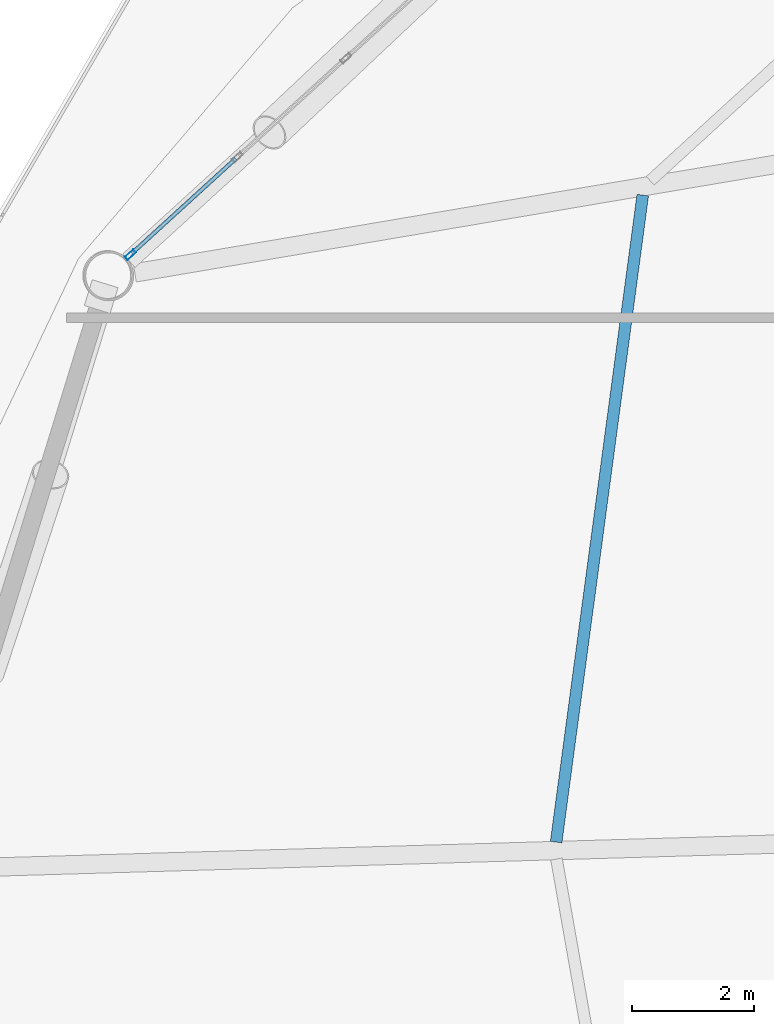
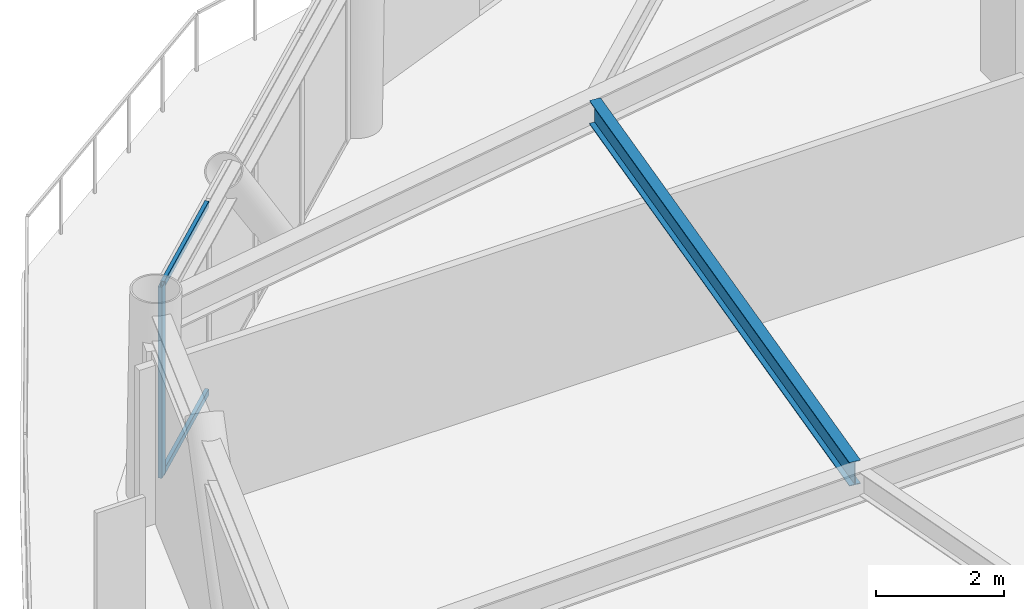
# One storey, part 9 of 23: 3 members, 1 beam, 1 element without a shape of its own.
"""IFC4 building model written with IfcOpenShell, lengths in metres."""

from ifc_helpers import new_model, si_unit, direction, frame, origin, origin_2d, place, context, subcontext, project, spatial, hollow_rectangle, i_section, extrude, material, layer, layer_set, material_profile, profile_set, type_object, element, aggregate, save


model = new_model("IFC4")

# Units and contexts
model_context = context("Model", 3, precision=1e-05, world=origin(), true_north=direction((0.0, 1.0)))
body_context = subcontext(model_context, "Body", "Model", "MODEL_VIEW")
ifc_project = project(units=[si_unit("LENGTHUNIT", "METRE"), si_unit("AREAUNIT", "SQUARE_METRE"), si_unit("VOLUMEUNIT", "CUBIC_METRE"), si_unit("PLANEANGLEUNIT", "RADIAN"), si_unit("MASSUNIT", "GRAM", prefix="KILO")], contexts=[model_context])

# Site, building, storey
site_placement = place(None, origin())
site = spatial("IfcSite", under=ifc_project, at=site_placement, CompositionType="ELEMENT")
building_placement = place(site_placement, origin())
building = spatial("IfcBuilding", under=site, at=building_placement, Name="Varnakorn Sky Granary", CompositionType="ELEMENT")
storey_placement = place(building_placement, frame((0.0, 0.0, 114.89990234375)))
storey = spatial("IfcBuildingStorey", under=building, at=storey_placement, Name="L28", CompositionType="ELEMENT", Elevation=114.89990234375)

# Beam
ifc_material_1 = material(Name="Steel S355JR", Category="steel")
ifc_material_profile_1 = material_profile(ifc_material_1, i_section(OverallWidth=0.18994140625, OverallDepth=0.449951171875, WebThickness=0.009521484375, FlangeThickness=0.0146484375, at=origin_2d()), Name="IPE 450")
ifc_profile_set_1 = profile_set([ifc_material_profile_1], Name="Steel S355JR")
beam_type = type_object("IfcBeamType", Name="BM-SEC-Z2", PredefinedType="BEAM", material=ifc_profile_set_1)
beam_placement = place(storey_placement, frame((-11.164794921875, 11.002197265625, 3.4150390625), z_axis=(-0.13269936089, -0.991156334601, 0.0), x_axis=(0.991156334601, -0.13269936089, 0.0)))
element("IfcBeam", 1, at=beam_placement, inside=storey, type_object=beam_type, Name="Secondary Floor Chord Beam MSB06 L28", PredefinedType="BEAM", context=body_context, shape_type="SweptSolid", body=[
    extrude(i_section(OverallWidth=0.18994140625, OverallDepth=0.449951171875, WebThickness=0.009521484375, FlangeThickness=0.0146484375, at=origin_2d()), origin(), (0.0, 0.0, 1.0), 10.657958984375),
])

# Curtain wall, members
ifc_material_2 = material(Name="Anodised Bronze Aluminium Alloy 6063-T6", Category="aluminium")
ifc_layer = layer(ifc_material_2, 0.179931640625, Name="Anodised Bronze Aluminium Alloy 6063-T6")
ifc_layer_set = layer_set([ifc_layer], Name="Anodised Bronze Aluminium Alloy 6063-T6")
curtain_wall_type = type_object("IfcCurtainWallType", Name="CW-FRM-2", PredefinedType="USERDEFINED", material=ifc_layer_set)
curtain_wall_placement = place(storey_placement, origin())
curtain_wall = element("IfcCurtainWall", 2, at=curtain_wall_placement, inside=storey, type_object=curtain_wall_type, Name="Unitised Curtain Wall CW4 CW-L28-B05", ObjectType="CURTAIN WALL", PredefinedType="USERDEFINED")
ifc_material_profile_2 = material_profile(ifc_material_2, hollow_rectangle(XDim=0.070068359375, YDim=0.18505859375, WallThickness=0.00390625, at=origin_2d()), Name="ALU MULL 70x185")
ifc_profile_set_2 = profile_set([ifc_material_profile_2], Name="Anodised Bronze Aluminium Alloy 6063-T6")
member_type_1 = type_object("IfcMemberType", Name="CW-FRM-2-MULL", PredefinedType="MULLION", material=ifc_profile_set_2)
member_1_placement = place(storey_placement, frame((-19.53076171875, 10.029052734375, 0.0), z_axis=(0.0, 0.0, 1.0), x_axis=(-0.673924759752, 0.738799985242, 0.0)))
member_1 = element("IfcMember", 3, at=member_1_placement, type_object=member_type_1, Name="CW4 mullion 1", PredefinedType="MULLION", context=body_context, shape_type="SweptSolid", body=[
    extrude(hollow_rectangle(XDim=0.070068359375, YDim=0.18505859375, WallThickness=0.00390625, at=origin_2d()), origin(), (0.0, 0.0, 1.0), 3.64013671875),
])
ifc_material_profile_3 = material_profile(ifc_material_2, hollow_rectangle(XDim=0.06494140625, YDim=0.1201171875, WallThickness=0.00341796875, at=origin_2d()), Name="ALU TRAN 65x120")
ifc_profile_set_3 = profile_set([ifc_material_profile_3], Name="Anodised Bronze Aluminium Alloy 6063-T6")
member_type_2 = type_object("IfcMemberType", Name="CW-FRM-2-TRAN", PredefinedType="USERDEFINED", material=ifc_profile_set_3)
member_2_placement = place(storey_placement, frame((-19.5048828125, 10.052490234375, 0.03271484375), z_axis=(0.738778112969, 0.673948736773, 0.0), x_axis=(-0.673948736773, 0.738778112969, 0.0)))
member_2 = element("IfcMember", 4, at=member_2_placement, type_object=member_type_2, Name="CW4 transom 1.1", ObjectType="TRANSOM", PredefinedType="USERDEFINED", context=body_context, shape_type="SweptSolid", body=[
    extrude(hollow_rectangle(XDim=0.06494140625, YDim=0.1201171875, WallThickness=0.00341796875, at=origin_2d()), origin(), (0.0, 0.0, 1.0), 2.29345703125),
])
member_3_placement = place(storey_placement, frame((-19.5048828125, 10.052490234375, 3.607666015625), z_axis=(0.738778112969, 0.673948736773, 0.0), x_axis=(-0.673948736773, 0.738778112969, 0.0)))
member_3 = element("IfcMember", 5, at=member_3_placement, type_object=member_type_2, Name="CW4 transom 1.2", ObjectType="TRANSOM", PredefinedType="USERDEFINED", context=body_context, shape_type="SweptSolid", body=[
    extrude(hollow_rectangle(XDim=0.06494140625, YDim=0.1201171875, WallThickness=0.00341796875, at=origin_2d()), origin(), (0.0, 0.0, 1.0), 2.29345703125),
])
aggregate(curtain_wall, [member_1, member_2, member_3])

save(model, "model.ifc")
